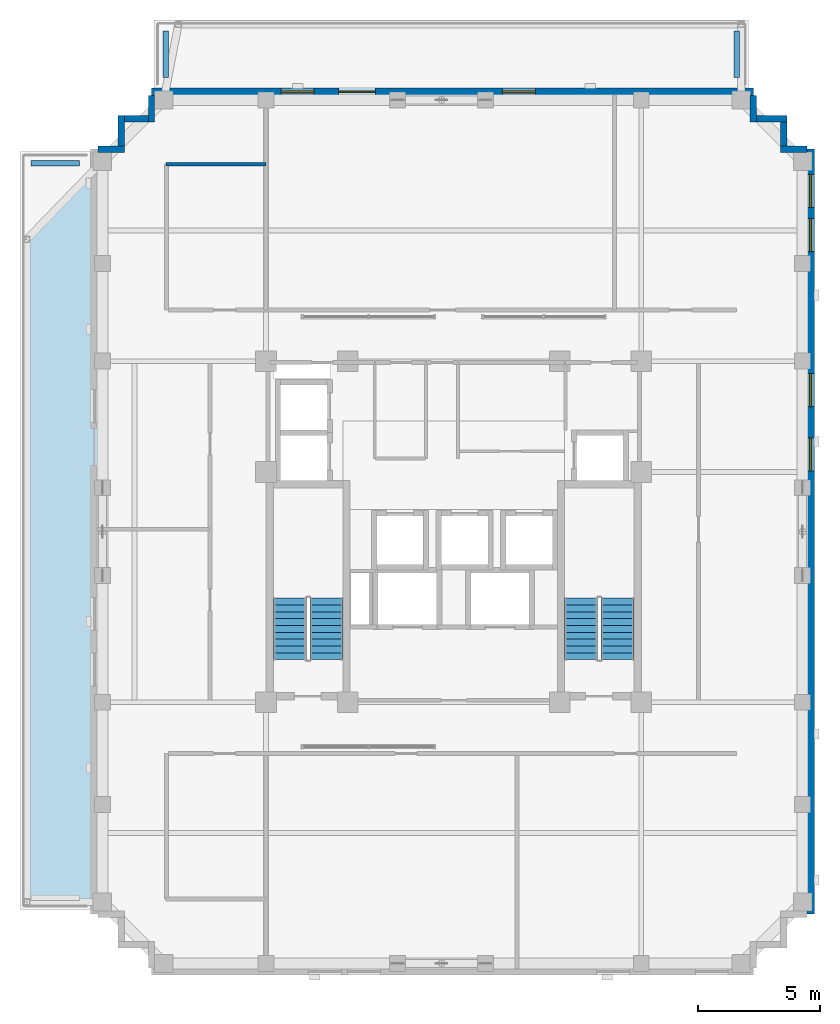
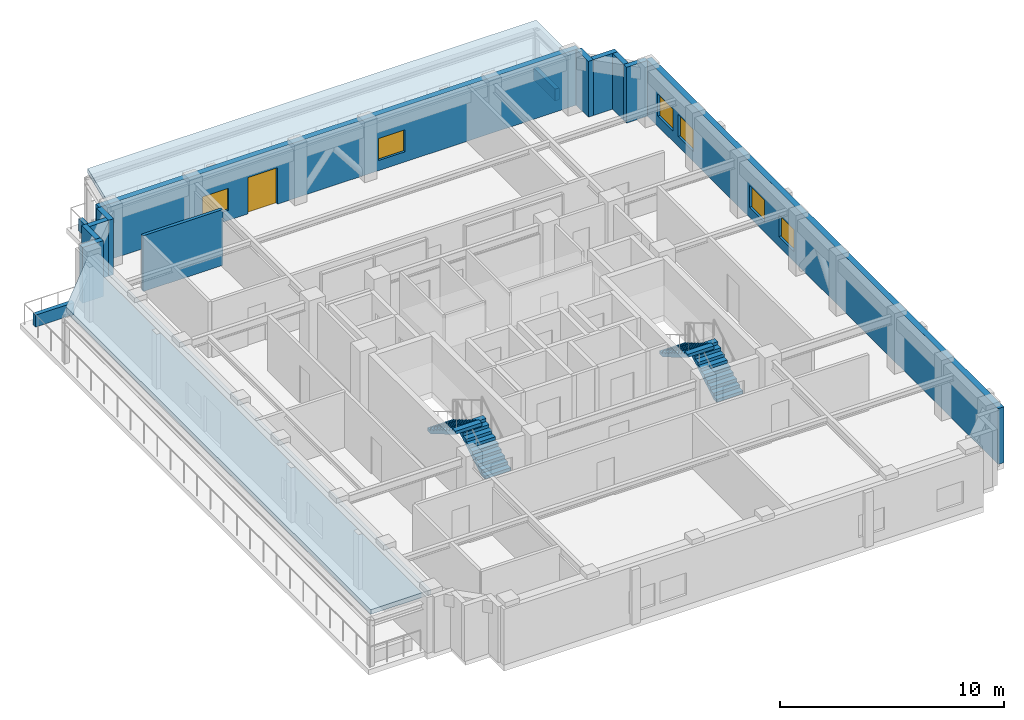
# One storey, part 10 of 14: 14 walls, 6 windows, 4 stair flights, 2 roofs, 1 door, 7 openings, 2 elements without a shape of their own.
"""IFC4 building model written with IfcOpenShell, lengths in metres."""

from ifc_helpers import new_model, si_unit, derived_unit, direction, frame, frame_2d, origin, place, context, subcontext, project, spatial, polyline, rectangle, outline, extrude, material, layer, layer_set, type_object, element, fill, aggregate, save


model = new_model("IFC4")

# Units and contexts
model_context = context("Model", 3, precision=1e-05, world=origin(), true_north=direction((0.0, 1.0)))
body_context = subcontext(model_context, "Body", "Model", "MODEL_VIEW")
ifc_project = project(units=[si_unit("LENGTHUNIT", "METRE"), si_unit("AREAUNIT", "SQUARE_METRE"), si_unit("VOLUMEUNIT", "CUBIC_METRE"), si_unit("PLANEANGLEUNIT", "RADIAN"), si_unit("MASSUNIT", "GRAM", prefix="KILO"), derived_unit("THERMALTRANSMITTANCEUNIT", [(si_unit("MASSUNIT", "GRAM", prefix="KILO"), 1), (si_unit("TIMEUNIT", "SECOND"), -3), (si_unit("THERMODYNAMICTEMPERATUREUNIT", "KELVIN"), -1)])], contexts=[model_context])

# Site, building, storey
site_placement = place(None, origin())
site = spatial("IfcSite", under=ifc_project, at=site_placement, CompositionType="ELEMENT")
building_placement = place(site_placement, origin())
building = spatial("IfcBuilding", under=site, at=building_placement, Name="Korrvale Station Residences", CompositionType="ELEMENT")
storey_placement = place(building_placement, frame((0.0, 0.0, 174.39990234375)))
storey = spatial("IfcBuildingStorey", under=building, at=storey_placement, Name="L50", CompositionType="ELEMENT", Elevation=174.39990234375)

# Walls
ifc_material_1 = material(Name="Precast concrete C45/55", Category="concrete")
ifc_layer_1 = layer(ifc_material_1, 0.260009765625, Name="Precast concrete C45/55")
ifc_layer_set_1 = layer_set([ifc_layer_1], Name="Precast concrete C45/55")
wall_type_1 = type_object("IfcWallType", Name="WAL-EXT-LOG260", PredefinedType="SOLIDWALL", material=ifc_layer_set_1)
wall_1_placement = place(storey_placement, frame((10.902099609375, 37.699951171875, 0.0), z_axis=(0.0, 0.0, 1.0), x_axis=(1.0, 0.0, 0.0)))
element("IfcWall", 1, at=wall_1_placement, inside=storey, type_object=wall_type_1, Name="L50 Serrated Corner Precast Step NW-1", PredefinedType="SOLIDWALL", context=body_context, shape_type="SweptSolid", body=[
    extrude(rectangle(XDim=1.077880859375, YDim=0.260009765625, at=frame_2d((0.5390625, 0.0))), origin(), (0.0, 0.0, 1.0), 3.0400390625),
])
wall_2_placement = place(storey_placement, frame((11.85009765625, 37.83203125, 0.0), z_axis=(0.0, 0.0, 1.0), x_axis=(0.0, 1.0, 0.0)))
element("IfcWall", 2, at=wall_2_placement, inside=storey, type_object=wall_type_1, Name="L50 Serrated Corner Precast Step NW-2", PredefinedType="SOLIDWALL", context=body_context, shape_type="SweptSolid", body=[
    extrude(rectangle(XDim=1.248046875, YDim=0.260009765625, at=frame_2d((0.6240234375, 0.0))), origin(), (0.0, 0.0, 1.0), 3.0400390625),
])
wall_3_placement = place(storey_placement, frame((11.98193359375, 38.949951171875, 0.0), z_axis=(0.0, 0.0, 1.0), x_axis=(1.0, 0.0, 0.0)))
element("IfcWall", 3, at=wall_3_placement, inside=storey, type_object=wall_type_1, Name="L50 Serrated Corner Precast Step NW-3", PredefinedType="SOLIDWALL", context=body_context, shape_type="SweptSolid", body=[
    extrude(rectangle(XDim=0.986083984375, YDim=0.260009765625, at=frame_2d((0.4931640625, 0.0))), origin(), (0.0, 0.0, 1.0), 3.0400390625),
])
for number, where, z_axis, x_axis, name in (
    (4, (13.10009765625, 38.820068359375, 0.0), (0.0, 0.0, 1.0), (0.0, 1.0, 0.0), "L50 Serrated Corner Precast Step NW-4"),
    (5, (37.800048828125, 39.89794921875, 0.0), (0.0, 0.0, 1.0), (0.0, -1.0, 0.0), "L50 Serrated Corner Precast Step NE-1"),
):
    element("IfcWall", number, at=place(storey_placement, frame(where, z_axis=z_axis, x_axis=x_axis)), inside=storey, type_object=wall_type_1, Name=name, PredefinedType="SOLIDWALL", context=body_context, shape_type="SweptSolid", body=[
        extrude(rectangle(XDim=1.077880859375, YDim=0.260009765625, at=frame_2d((0.5390625, 0.0))), origin(), (0.0, 0.0, 1.0), 3.0400390625),
    ])
wall_4_placement = place(storey_placement, frame((37.931884765625, 38.949951171875, 0.0), z_axis=(0.0, 0.0, 1.0), x_axis=(1.0, 0.0, 0.0)))
element("IfcWall", 6, at=wall_4_placement, inside=storey, type_object=wall_type_1, Name="L50 Serrated Corner Precast Step NE-2", PredefinedType="SOLIDWALL", context=body_context, shape_type="SweptSolid", body=[
    extrude(rectangle(XDim=1.248046875, YDim=0.260009765625, at=frame_2d((0.6240234375, 0.0))), origin(), (0.0, 0.0, 1.0), 3.0400390625),
])
wall_5_placement = place(storey_placement, frame((39.050048828125, 38.818115234375, 0.0), z_axis=(0.0, 0.0, 1.0), x_axis=(0.0, -1.0, 0.0)))
element("IfcWall", 7, at=wall_5_placement, inside=storey, type_object=wall_type_1, Name="L50 Serrated Corner Precast Step NE-3", PredefinedType="SOLIDWALL", context=body_context, shape_type="SweptSolid", body=[
    extrude(rectangle(XDim=0.986083984375, YDim=0.260009765625, at=frame_2d((0.4931640625, 0.0))), origin(), (0.0, 0.0, 1.0), 3.0400390625),
])
wall_6_placement = place(storey_placement, frame((38.919921875, 37.699951171875, 0.0), z_axis=(0.0, 0.0, 1.0), x_axis=(1.0, 0.0, 0.0)))
element("IfcWall", 8, at=wall_6_placement, inside=storey, type_object=wall_type_1, Name="L50 Serrated Corner Precast Step NE-4", PredefinedType="SOLIDWALL", context=body_context, shape_type="SweptSolid", body=[
    extrude(rectangle(XDim=1.078125, YDim=0.260009765625, at=frame_2d((0.5390625, 0.0))), origin(), (0.0, 0.0, 1.0), 3.0400390625),
])

# Wall, openings, door, windows
ifc_layer_2 = layer(ifc_material_1, 0.300048828125, Name="Precast concrete C45/55")
ifc_layer_set_2 = layer_set([ifc_layer_2], Name="Precast concrete C45/55")
wall_type_2 = type_object("IfcWallType", Name="WAL-EXT-PC300", PredefinedType="SOLIDWALL", material=ifc_layer_set_2)
wall_7_placement = place(storey_placement, frame((13.10009765625, 40.050048828125, 0.0), z_axis=(0.0, 0.0, 1.0), x_axis=(1.0, 0.0, 0.0)))
wall_7 = element("IfcWall", 9, at=wall_7_placement, inside=storey, type_object=wall_type_2, Name="L50 North Exterior Precast Wall 1", PredefinedType="SOLIDWALL", context=body_context, shape_type="SweptSolid", body=[
    extrude(rectangle(XDim=24.699951171875, YDim=0.300048828125, at=frame_2d((12.35009765625, 0.0))), origin(), (0.0, 0.0, 1.0), 3.0400390625),
])
opening_1_placement = place(wall_7_placement, frame((7.679931640625, 0.0, 0.0)))
opening_1 = element("IfcOpeningElement", 10, at=opening_1_placement, cuts=wall_7, Name="Opening TD-01", PredefinedType="OPENING", context=body_context, shape_type="SweptSolid", body=[
    extrude(rectangle(XDim=1.5, YDim=1.98193359375, at=frame_2d((0.75, 0.990966796875))), frame((0.0, 0.16015625, 0.0), z_axis=(0.0, -1.0, 0.0), x_axis=(1.0, 0.0, 0.0)), (0.0, 0.0, 1.0), 0.320068359375),
])
opening_2_placement = place(wall_7_placement, frame((14.39990234375, 0.0, 0.550048828125)))
opening_2 = element("IfcOpeningElement", 11, at=opening_2_placement, cuts=wall_7, Name="Opening W-10", PredefinedType="OPENING", context=body_context, shape_type="SweptSolid", body=[
    extrude(rectangle(XDim=1.35009765625, YDim=1.199951171875, at=frame_2d((0.675048828125, 0.60009765625))), frame((0.0, 0.16015625, 0.0), z_axis=(0.0, -1.0, 0.0), x_axis=(1.0, 0.0, 0.0)), (0.0, 0.0, 1.0), 0.320068359375),
])
opening_3_placement = place(wall_7_placement, frame((5.320068359375, 0.0, 0.550048828125)))
opening_3 = element("IfcOpeningElement", 12, at=opening_3_placement, cuts=wall_7, Name="Opening W-10", PredefinedType="OPENING", context=body_context, shape_type="SweptSolid", body=[
    extrude(rectangle(XDim=1.35009765625, YDim=1.199951171875, at=frame_2d((0.675048828125, 0.60009765625))), frame((0.0, 0.16015625, 0.0), z_axis=(0.0, -1.0, 0.0), x_axis=(1.0, 0.0, 0.0)), (0.0, 0.0, 1.0), 0.320068359375),
])
ifc_material_2 = material(Name="Exterior thermally broken aluminium glazed terrace double door", Category="aluminium")
door_type = type_object("IfcDoorType", Name="DR-EXT-TER", OperationType="DOUBLE_SWING_LEFT", PredefinedType="DOOR", material=ifc_material_2)
door_placement = place(opening_1_placement, origin())
door = element("IfcDoor", 13, at=door_placement, inside=storey, type_object=door_type, Name="L50 North Setback Terrace Door", OperationType="DOUBLE_SWING_LEFT", OverallHeight=1.98193359375, OverallWidth=1.5, PredefinedType="DOOR", context=body_context, shape_type="SweptSolid", body=[
    extrude(rectangle(XDim=1.5, YDim=1.98193359375, at=frame_2d((0.75, 0.990966796875))), frame((0.0, 0.02490234375, 0.0), z_axis=(0.0, -1.0, 0.0), x_axis=(1.0, 0.0, 0.0)), (0.0, 0.0, 1.0), 0.050048828125),
])
fill(opening_1, door)
ifc_material_3 = material(Name="Thermally broken aluminium frame with triple low-e glazing", Category="aluminium")
window_type = type_object("IfcWindowType", Name="WIN-W10", PartitioningType="SINGLE_PANEL", PredefinedType="WINDOW", material=ifc_material_3)
window_1_placement = place(opening_2_placement, origin())
window_1 = element("IfcWindow", 14, at=window_1_placement, inside=storey, type_object=window_type, Name="L50 Punched Window 01", OverallHeight=1.199951171875, OverallWidth=1.35009765625, PartitioningType="SINGLE_PANEL", PredefinedType="WINDOW", context=body_context, shape_type="SweptSolid", body=[
    extrude(rectangle(XDim=1.35009765625, YDim=1.199951171875, at=frame_2d((0.675048828125, 0.60009765625))), frame((0.0, 0.030029296875, 0.0), z_axis=(0.0, -1.0, 0.0), x_axis=(1.0, 0.0, 0.0)), (0.0, 0.0, 1.0), 0.06005859375),
])
fill(opening_2, window_1)
window_2_placement = place(opening_3_placement, origin())
window_2 = element("IfcWindow", 15, at=window_2_placement, inside=storey, type_object=window_type, Name="L50 Punched Window 02", OverallHeight=1.199951171875, OverallWidth=1.35009765625, PartitioningType="SINGLE_PANEL", PredefinedType="WINDOW", context=body_context, shape_type="SweptSolid", body=[
    extrude(rectangle(XDim=1.35009765625, YDim=1.199951171875, at=frame_2d((0.675048828125, 0.60009765625))), frame((0.0, 0.030029296875, 0.0), z_axis=(0.0, -1.0, 0.0), x_axis=(1.0, 0.0, 0.0)), (0.0, 0.0, 1.0), 0.06005859375),
])
fill(opening_3, window_2)

# Wall, openings, windows
wall_8_placement = place(storey_placement, frame((40.14990234375, 37.699951171875, 0.0), z_axis=(0.0, 0.0, 1.0), x_axis=(0.0, -1.0, 0.0)))
wall_8 = element("IfcWall", 16, at=wall_8_placement, inside=storey, type_object=wall_type_2, Name="L50 East Exterior Precast Wall 1", PredefinedType="SOLIDWALL", context=body_context, shape_type="SweptSolid", body=[
    extrude(rectangle(XDim=31.39990234375, YDim=0.300048828125, at=frame_2d((15.699951171875, 0.0))), origin(), (0.0, 0.0, 1.0), 3.0400390625),
])
opening_4_placement = place(wall_8_placement, frame((2.85595703125, 0.0, 0.550048828125)))
opening_4 = element("IfcOpeningElement", 17, at=opening_4_placement, cuts=wall_8, Name="Opening W-10", PredefinedType="OPENING", context=body_context, shape_type="SweptSolid", body=[
    extrude(rectangle(XDim=1.35009765625, YDim=1.199951171875, at=frame_2d((0.675048828125, 0.60009765625))), frame((0.0, 0.16015625, 0.0), z_axis=(0.0, -1.0, 0.0), x_axis=(1.0, 0.0, 0.0)), (0.0, 0.0, 1.0), 0.320068359375),
])
opening_5_placement = place(wall_8_placement, frame((1.034912109375, 0.0, 0.550048828125)))
opening_5 = element("IfcOpeningElement", 18, at=opening_5_placement, cuts=wall_8, Name="Opening W-10", PredefinedType="OPENING", context=body_context, shape_type="SweptSolid", body=[
    extrude(rectangle(XDim=1.35009765625, YDim=1.199951171875, at=frame_2d((0.675048828125, 0.60009765625))), frame((0.0, 0.16015625, 0.0), z_axis=(0.0, -1.0, 0.0), x_axis=(1.0, 0.0, 0.0)), (0.0, 0.0, 1.0), 0.320068359375),
])
opening_6_placement = place(wall_8_placement, frame((11.85009765625, 0.0, 0.550048828125)))
opening_6 = element("IfcOpeningElement", 19, at=opening_6_placement, cuts=wall_8, Name="Opening W-10", PredefinedType="OPENING", context=body_context, shape_type="SweptSolid", body=[
    extrude(rectangle(XDim=1.35009765625, YDim=1.199951171875, at=frame_2d((0.675048828125, 0.60009765625))), frame((0.0, 0.16015625, 0.0), z_axis=(0.0, -1.0, 0.0), x_axis=(1.0, 0.0, 0.0)), (0.0, 0.0, 1.0), 0.320068359375),
])
opening_7_placement = place(wall_8_placement, frame((9.214111328125, 0.0, 0.550048828125)))
opening_7 = element("IfcOpeningElement", 20, at=opening_7_placement, cuts=wall_8, Name="Opening W-10", PredefinedType="OPENING", context=body_context, shape_type="SweptSolid", body=[
    extrude(rectangle(XDim=1.35009765625, YDim=1.199951171875, at=frame_2d((0.675048828125, 0.60009765625))), frame((0.0, 0.16015625, 0.0), z_axis=(0.0, -1.0, 0.0), x_axis=(1.0, 0.0, 0.0)), (0.0, 0.0, 1.0), 0.320068359375),
])
window_3_placement = place(opening_4_placement, origin())
window_3 = element("IfcWindow", 21, at=window_3_placement, inside=storey, type_object=window_type, Name="L50 Punched Window 03", OverallHeight=1.199951171875, OverallWidth=1.35009765625, PartitioningType="SINGLE_PANEL", PredefinedType="WINDOW", context=body_context, shape_type="SweptSolid", body=[
    extrude(rectangle(XDim=1.35009765625, YDim=1.199951171875, at=frame_2d((0.675048828125, 0.60009765625))), frame((0.0, 0.030029296875, 0.0), z_axis=(0.0, -1.0, 0.0), x_axis=(1.0, 0.0, 0.0)), (0.0, 0.0, 1.0), 0.06005859375),
])
fill(opening_4, window_3)
window_4_placement = place(opening_5_placement, origin())
window_4 = element("IfcWindow", 22, at=window_4_placement, inside=storey, type_object=window_type, Name="L50 Punched Window 04", OverallHeight=1.199951171875, OverallWidth=1.35009765625, PartitioningType="SINGLE_PANEL", PredefinedType="WINDOW", context=body_context, shape_type="SweptSolid", body=[
    extrude(rectangle(XDim=1.35009765625, YDim=1.199951171875, at=frame_2d((0.675048828125, 0.60009765625))), frame((0.0, 0.030029296875, 0.0), z_axis=(0.0, -1.0, 0.0), x_axis=(1.0, 0.0, 0.0)), (0.0, 0.0, 1.0), 0.06005859375),
])
fill(opening_5, window_4)
window_5_placement = place(opening_6_placement, origin())
window_5 = element("IfcWindow", 23, at=window_5_placement, inside=storey, type_object=window_type, Name="L50 Punched Window 12", OverallHeight=1.199951171875, OverallWidth=1.35009765625, PartitioningType="SINGLE_PANEL", PredefinedType="WINDOW", context=body_context, shape_type="SweptSolid", body=[
    extrude(rectangle(XDim=1.35009765625, YDim=1.199951171875, at=frame_2d((0.675048828125, 0.60009765625))), frame((0.0, 0.030029296875, 0.0), z_axis=(0.0, -1.0, 0.0), x_axis=(1.0, 0.0, 0.0)), (0.0, 0.0, 1.0), 0.06005859375),
])
fill(opening_6, window_5)
window_6_placement = place(opening_7_placement, origin())
window_6 = element("IfcWindow", 24, at=window_6_placement, inside=storey, type_object=window_type, Name="L50 Punched Window 13", OverallHeight=1.199951171875, OverallWidth=1.35009765625, PartitioningType="SINGLE_PANEL", PredefinedType="WINDOW", context=body_context, shape_type="SweptSolid", body=[
    extrude(rectangle(XDim=1.35009765625, YDim=1.199951171875, at=frame_2d((0.675048828125, 0.60009765625))), frame((0.0, 0.030029296875, 0.0), z_axis=(0.0, -1.0, 0.0), x_axis=(1.0, 0.0, 0.0)), (0.0, 0.0, 1.0), 0.06005859375),
])
fill(opening_7, window_6)

# Walls
ifc_layer_3 = layer(ifc_material_1, 0.219970703125, Name="Precast concrete C45/55")
ifc_layer_set_3 = layer_set([ifc_layer_3], Name="Precast concrete C45/55")
wall_type_3 = type_object("IfcWallType", Name="WAL-PAR-220", PredefinedType="PARAPET", material=ifc_layer_set_3)
for number, where, z_axis, x_axis, name in (
    (25, (13.679931640625, 40.64990234375, 0.0), (0.0, 0.0, 1.0), (0.0, 1.0, 0.0), "L50 Terrace Planter Parapet TER-L50-N-W"),
    (26, (37.1201171875, 40.64990234375, 0.0), (0.0, 0.0, 1.0), (0.0, 1.0, 0.0), "L50 Terrace Planter Parapet TER-L50-N-E"),
):
    element("IfcWall", number, at=place(storey_placement, frame(where, z_axis=z_axis, x_axis=x_axis)), inside=storey, type_object=wall_type_3, Name=name, PredefinedType="PARAPET", context=body_context, shape_type="SweptSolid", body=[
        extrude(rectangle(XDim=1.900146484375, YDim=0.219970703125, at=frame_2d((0.9501953125, 0.0))), origin(), (0.0, 0.0, 1.0), 0.650146484375),
    ])
wall_9_placement = place(storey_placement, frame((8.14990234375, 37.1201171875, 0.0), z_axis=(0.0, 0.0, 1.0), x_axis=(1.0, 0.0, 0.0)))
element("IfcWall", 27, at=wall_9_placement, inside=storey, type_object=wall_type_3, Name="L50 Terrace Planter Parapet TER-L50-W-N", PredefinedType="PARAPET", context=body_context, shape_type="SweptSolid", body=[
    extrude(rectangle(XDim=2.0, YDim=0.219970703125, at=frame_2d((1.0, 0.0))), origin(), (0.0, 0.0, 1.0), 0.650146484375),
])
ifc_material_4 = material(Name="Fire-rated twin-stud gypsum and mineral wool shaftwall assembly", Category="gypsum")
ifc_layer_4 = layer(ifc_material_4, 0.159912109375, Name="Fire-rated twin-stud gypsum and mineral wool shaftwall assembly")
ifc_layer_set_4 = layer_set([ifc_layer_4], Name="Fire-rated twin-stud gypsum and mineral wool shaftwall assembly")
wall_type_4 = type_object("IfcWallType", Name="WAL-PART-200", PredefinedType="PARTITIONING", material=ifc_layer_set_4)
wall_10_placement = place(storey_placement, frame((13.699951171875, 37.080078125, 0.0), z_axis=(0.0, 0.0, 1.0), x_axis=(1.0, 0.0, 0.0)))
element("IfcWall", 28, at=wall_10_placement, inside=storey, type_object=wall_type_4, Name="L50 Interior Partition W-SWC-N", PredefinedType="PARTITIONING", context=body_context, shape_type="SweptSolid", body=[
    extrude(rectangle(XDim=4.10009765625, YDim=0.159912109375, at=frame_2d((2.050048828125, 0.0))), origin(), (0.0, 0.0, 1.0), 3.0400390625),
])

# Stair, stair flights
ifc_material_5 = material(Name="Concrete C50/60", Category="concrete")
stair_type = type_object("IfcStairType", Name="STR-DL-1350-20R-1650", PredefinedType="HALF_TURN_STAIR", material=ifc_material_5)
stair_1_placement = place(storey_placement, origin())
stair_1 = element("IfcStair", 29, at=stair_1_placement, inside=storey, type_object=stair_type, Name="L50 Exit Stair 1", PredefinedType="HALF_TURN_STAIR")
stair_flight_type = type_object("IfcStairFlightType", Name="FLT-DL-1350-20R-1650", PredefinedType="STRAIGHT", material=ifc_material_5)
stair_flight_1_placement = place(storey_placement, frame((20.27490234375, 16.75, 0.0), z_axis=(0.0, 0.0, 1.0), x_axis=(0.0, 1.0, 0.0)))
stair_flight_1 = element("IfcStairFlight", 30, at=stair_flight_1_placement, type_object=stair_flight_type, Name="ST-1 flight 1", NumberOfRisers=10, NumberOfTreads=9, PredefinedType="STRAIGHT", RiserHeight=0.165, TreadLength=0.28, context=body_context, shape_type="SweptSolid", body=[
    extrude(outline(polyline([(0.0, 0.0), (0.0, 0.1650390625), (0.280029296875, 0.1650390625), (0.280029296875, 0.330078125), (0.56005859375, 0.330078125), (0.56005859375, 0.4951171875), (0.840087890625, 0.4951171875), (0.840087890625, 0.659912109375), (1.1201171875, 0.659912109375), (1.1201171875, 0.824951171875), (1.39990234375, 0.824951171875), (1.39990234375, 0.989990234375), (1.679931640625, 0.989990234375), (1.679931640625, 1.155029296875), (1.9599609375, 1.155029296875), (1.9599609375, 1.320068359375), (2.239990234375, 1.320068359375), (2.239990234375, 1.485107421875), (2.52001953125, 1.485107421875), (2.52001953125, 1.64990234375), (2.52001953125, 1.31103515625), (0.295166015625, 0.0), (0.0, 0.0)])), frame((0.0, 0.675048828125, 0.0), z_axis=(0.0, -1.0, 0.0), x_axis=(1.0, 0.0, 0.0)), (0.0, 0.0, 1.0), 1.35009765625),
])
stair_flight_2_placement = place(storey_placement, frame((18.77490234375, 19.27001953125, 1.650146484375), z_axis=(0.0, 0.0, 1.0), x_axis=(0.0, -1.0, 0.0)))
stair_flight_2 = element("IfcStairFlight", 31, at=stair_flight_2_placement, type_object=stair_flight_type, Name="ST-1 flight 2", NumberOfRisers=10, NumberOfTreads=9, PredefinedType="STRAIGHT", RiserHeight=0.165, TreadLength=0.28, context=body_context, shape_type="SweptSolid", body=[
    extrude(outline(polyline([(0.0, 0.0), (0.0, 0.1650390625), (0.280029296875, 0.1650390625), (0.280029296875, 0.330078125), (0.56005859375, 0.330078125), (0.56005859375, 0.4951171875), (0.840087890625, 0.4951171875), (0.840087890625, 0.659912109375), (1.1201171875, 0.659912109375), (1.1201171875, 0.824951171875), (1.39990234375, 0.824951171875), (1.39990234375, 0.989990234375), (1.679931640625, 0.989990234375), (1.679931640625, 1.155029296875), (1.9599609375, 1.155029296875), (1.9599609375, 1.320068359375), (2.239990234375, 1.320068359375), (2.239990234375, 1.485107421875), (2.52001953125, 1.485107421875), (2.52001953125, 1.64990234375), (2.52001953125, 1.31103515625), (0.295166015625, 0.0), (0.0, 0.0)])), frame((0.0, 0.675048828125, 0.0), z_axis=(0.0, -1.0, 0.0), x_axis=(1.0, 0.0, 0.0)), (0.0, 0.0, 1.0), 1.35009765625),
])
aggregate(stair_1, [stair_flight_1, stair_flight_2])

stair_2_placement = place(storey_placement, origin())
stair_2 = element("IfcStair", 32, at=stair_2_placement, inside=storey, type_object=stair_type, Name="L50 Exit Stair 2", PredefinedType="HALF_TURN_STAIR")
stair_flight_3_placement = place(storey_placement, frame((32.22509765625, 16.75, 0.0), z_axis=(0.0, 0.0, 1.0), x_axis=(0.0, 1.0, 0.0)))
stair_flight_3 = element("IfcStairFlight", 33, at=stair_flight_3_placement, type_object=stair_flight_type, Name="ST-2 flight 1", NumberOfRisers=10, NumberOfTreads=9, PredefinedType="STRAIGHT", RiserHeight=0.165, TreadLength=0.28, context=body_context, shape_type="SweptSolid", body=[
    extrude(outline(polyline([(0.0, 0.0), (0.0, 0.1650390625), (0.280029296875, 0.1650390625), (0.280029296875, 0.330078125), (0.56005859375, 0.330078125), (0.56005859375, 0.4951171875), (0.840087890625, 0.4951171875), (0.840087890625, 0.659912109375), (1.1201171875, 0.659912109375), (1.1201171875, 0.824951171875), (1.39990234375, 0.824951171875), (1.39990234375, 0.989990234375), (1.679931640625, 0.989990234375), (1.679931640625, 1.155029296875), (1.9599609375, 1.155029296875), (1.9599609375, 1.320068359375), (2.239990234375, 1.320068359375), (2.239990234375, 1.485107421875), (2.52001953125, 1.485107421875), (2.52001953125, 1.64990234375), (2.52001953125, 1.31103515625), (0.295166015625, 0.0), (0.0, 0.0)])), frame((0.0, 0.675048828125, 0.0), z_axis=(0.0, -1.0, 0.0), x_axis=(1.0, 0.0, 0.0)), (0.0, 0.0, 1.0), 1.35009765625),
])
stair_flight_4_placement = place(storey_placement, frame((30.72509765625, 19.27001953125, 1.650146484375), z_axis=(0.0, 0.0, 1.0), x_axis=(0.0, -1.0, 0.0)))
stair_flight_4 = element("IfcStairFlight", 34, at=stair_flight_4_placement, type_object=stair_flight_type, Name="ST-2 flight 2", NumberOfRisers=10, NumberOfTreads=9, PredefinedType="STRAIGHT", RiserHeight=0.165, TreadLength=0.28, context=body_context, shape_type="SweptSolid", body=[
    extrude(outline(polyline([(0.0, 0.0), (0.0, 0.1650390625), (0.280029296875, 0.1650390625), (0.280029296875, 0.330078125), (0.56005859375, 0.330078125), (0.56005859375, 0.4951171875), (0.840087890625, 0.4951171875), (0.840087890625, 0.659912109375), (1.1201171875, 0.659912109375), (1.1201171875, 0.824951171875), (1.39990234375, 0.824951171875), (1.39990234375, 0.989990234375), (1.679931640625, 0.989990234375), (1.679931640625, 1.155029296875), (1.9599609375, 1.155029296875), (1.9599609375, 1.320068359375), (2.239990234375, 1.320068359375), (2.239990234375, 1.485107421875), (2.52001953125, 1.485107421875), (2.52001953125, 1.64990234375), (2.52001953125, 1.31103515625), (0.295166015625, 0.0), (0.0, 0.0)])), frame((0.0, 0.675048828125, 0.0), z_axis=(0.0, -1.0, 0.0), x_axis=(1.0, 0.0, 0.0)), (0.0, 0.0, 1.0), 1.35009765625),
])
aggregate(stair_2, [stair_flight_3, stair_flight_4])

# Roofs
ifc_layer_5 = layer(ifc_material_5, 0.25, Name="Concrete C50/60")
ifc_layer_set_5 = layer_set([ifc_layer_5], Name="Concrete C50/60")
roof_type = type_object("IfcRoofType", Name="ROOF-FLAT-250", PredefinedType="FLAT_ROOF", material=ifc_layer_set_5)
roof_1_placement = place(storey_placement, frame((0.0, 0.0, 2.75)))
element("IfcRoof", 35, at=roof_1_placement, inside=storey, type_object=roof_type, Name="L50 Frame-Carried Setback Terrace Flat Roof TER-L50-N", PredefinedType="FLAT_ROOF", context=body_context, shape_type="SweptSolid", body=[
    extrude(outline(polyline([(14.199951171875, 42.820068359375), (37.300048828125, 42.820068359375), (37.300048828125, 39.719970703125), (13.60009765625, 39.719970703125), (14.199951171875, 42.820068359375)])), origin(), (0.0, 0.0, 1.0), 0.25),
])
roof_2_placement = place(storey_placement, frame((0.0, 0.0, 2.75)))
element("IfcRoof", 36, at=roof_2_placement, inside=storey, type_object=roof_type, Name="L50 Frame-Carried Setback Terrace Flat Roof TER-L50-W", PredefinedType="FLAT_ROOF", context=body_context, shape_type="SweptSolid", body=[
    extrude(outline(polyline([(7.97998046875, 6.800048828125), (7.97998046875, 34.0), (11.080078125, 37.199951171875), (11.080078125, 6.800048828125), (7.97998046875, 6.800048828125)])), origin(), (0.0, 0.0, 1.0), 0.25),
])

save(model, "model.ifc")
